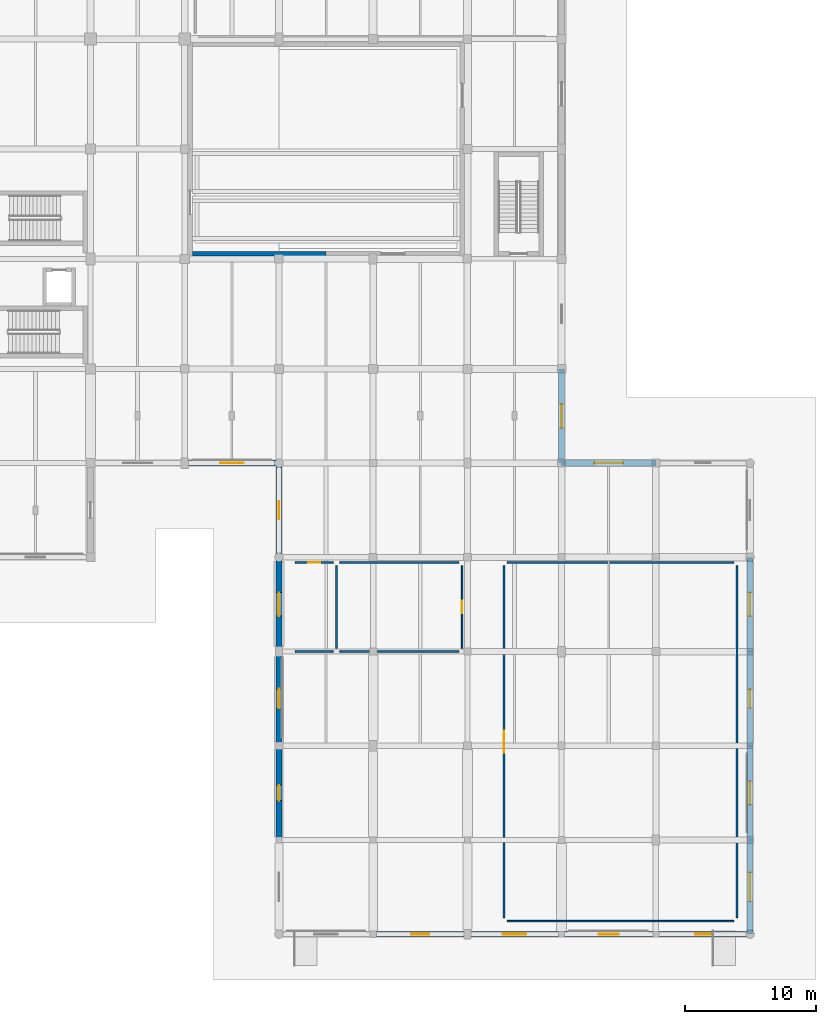
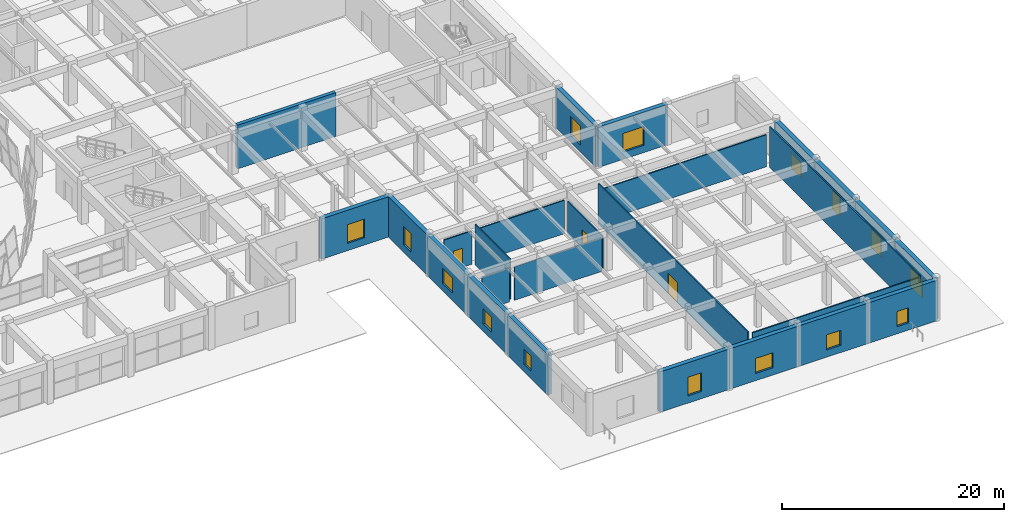
# One storey, part 52 of 72: 26 walls, 15 windows, 3 doors, 18 openings.
"""IFC4 building model written with IfcOpenShell, lengths in metres."""

from ifc_helpers import new_model, si_unit, direction, frame, frame_2d, origin, place, context, subcontext, project, spatial, rectangle, extrude, material, layer, layer_set, type_object, element, fill, save


model = new_model("IFC4")

# Units and contexts
model_context = context("Model", 3, precision=1e-05, world=origin(), true_north=direction((0.0, 1.0)))
body_context = subcontext(model_context, "Body", "Model", "MODEL_VIEW")
ifc_project = project(units=[si_unit("LENGTHUNIT", "METRE"), si_unit("AREAUNIT", "SQUARE_METRE"), si_unit("VOLUMEUNIT", "CUBIC_METRE"), si_unit("PLANEANGLEUNIT", "RADIAN"), si_unit("MASSUNIT", "GRAM", prefix="KILO")], contexts=[model_context])

# Site, building, storey
site_placement = place(None, origin())
site = spatial("IfcSite", under=ifc_project, at=site_placement, CompositionType="ELEMENT")
building_placement = place(site_placement, origin())
building = spatial("IfcBuilding", under=site, at=building_placement, Name="Korsvaeld Concert Hall", CompositionType="ELEMENT")
storey_placement = place(building_placement, origin())
storey = spatial("IfcBuildingStorey", under=building, at=storey_placement, Name="L00", CompositionType="ELEMENT", Elevation=0.0)

# Wall, opening, window
ifc_material_1 = material(Name="Coastal dark grey granite plinth on Concrete C35/45", Category="masonry")
ifc_layer_1 = layer(ifc_material_1, 0.43994140625)
ifc_layer_set_1 = layer_set([ifc_layer_1], Name="Coastal dark grey granite plinth on Concrete C35/45")
wall_type_1 = type_object("IfcWallType", Name="WL-EXT-GRAN-440", PredefinedType="STANDARD", material=ifc_layer_set_1)
wall_1_placement = place(storey_placement, frame((153.60009765625, 43.199951171875, 0.0), z_axis=(0.0, 0.0, 1.0), x_axis=(0.0, -1.0, 0.0)))
wall_1 = element("IfcWall", 1, at=wall_1_placement, inside=storey, type_object=wall_type_1, Name="Exterior sandstone wall L00-096", PredefinedType="STANDARD", context=body_context, shape_type="SweptSolid", body=[
    extrude(rectangle(XDim=7.199951171875, YDim=0.43994140625, at=frame_2d((3.60009765625, 0.0))), origin(), (0.0, 0.0, 1.0), 4.43994140625),
])
opening_1_placement = place(wall_1_placement, frame((2.699951171875, 0.0, 0.800048828125)))
opening_1 = element("IfcOpeningElement", 2, at=opening_1_placement, cuts=wall_1, Name="Opening WN-12", PredefinedType="OPENING", context=body_context, shape_type="SweptSolid", body=[
    extrude(rectangle(XDim=1.800048828125, YDim=2.050048828125, at=frame_2d((0.89990234375, 1.02490234375))), frame((0.0, 0.22998046875, 0.0), z_axis=(0.0, -1.0, 0.0), x_axis=(1.0, 0.0, 0.0)), (0.0, 0.0, 1.0), 0.4599609375),
])
ifc_material_2 = material(Name="Anodised bronze frame with acoustic triple glazing", Category="glass")
window_type_1 = type_object("IfcWindowType", Name="WIN-AC-180x205", PartitioningType="SINGLE_PANEL", PredefinedType="WINDOW", material=ifc_material_2)
window_1_placement = place(opening_1_placement, origin())
window_1 = element("IfcWindow", 3, at=window_1_placement, inside=storey, type_object=window_type_1, Name="Acoustic triple-glazed window L00-007", OverallHeight=2.050048828125, OverallWidth=1.800048828125, PartitioningType="SINGLE_PANEL", PredefinedType="WINDOW", context=body_context, shape_type="SweptSolid", body=[
    extrude(rectangle(XDim=1.800048828125, YDim=2.050048828125, at=frame_2d((0.89990234375, 1.02490234375))), frame((0.0, 0.030029296875, 0.0), z_axis=(0.0, -1.0, 0.0), x_axis=(1.0, 0.0, 0.0)), (0.0, 0.0, 1.0), 0.06005859375),
])
fill(opening_1, window_1)

wall_2_placement = place(storey_placement, frame((153.60009765625, 36.0, 0.0), z_axis=(0.0, 0.0, 1.0), x_axis=(1.0, 0.0, 0.0)))
wall_2 = element("IfcWall", 4, at=wall_2_placement, inside=storey, type_object=wall_type_1, Name="Exterior sandstone wall L00-097", PredefinedType="STANDARD", context=body_context, shape_type="SweptSolid", body=[
    extrude(rectangle(XDim=7.199951171875, YDim=0.43994140625, at=frame_2d((3.60009765625, 0.0))), origin(), (0.0, 0.0, 1.0), 4.43994140625),
])
opening_2_placement = place(wall_2_placement, frame((2.5, 0.0, 0.800048828125)))
opening_2 = element("IfcOpeningElement", 5, at=opening_2_placement, cuts=wall_2, Name="Opening WN-13", PredefinedType="OPENING", context=body_context, shape_type="SweptSolid", body=[
    extrude(rectangle(XDim=2.199951171875, YDim=2.050048828125, at=frame_2d((1.10009765625, 1.02490234375))), frame((0.0, 0.22998046875, 0.0), z_axis=(0.0, -1.0, 0.0), x_axis=(1.0, 0.0, 0.0)), (0.0, 0.0, 1.0), 0.4599609375),
])
window_type_2 = type_object("IfcWindowType", Name="WIN-AC-220x205", PartitioningType="SINGLE_PANEL", PredefinedType="WINDOW", material=ifc_material_2)
window_2_placement = place(opening_2_placement, origin())
window_2 = element("IfcWindow", 6, at=window_2_placement, inside=storey, type_object=window_type_2, Name="Acoustic triple-glazed window L00-008", OverallHeight=2.050048828125, OverallWidth=2.199951171875, PartitioningType="SINGLE_PANEL", PredefinedType="WINDOW", context=body_context, shape_type="SweptSolid", body=[
    extrude(rectangle(XDim=2.199951171875, YDim=2.050048828125, at=frame_2d((1.10009765625, 1.02490234375))), frame((0.0, 0.030029296875, 0.0), z_axis=(0.0, -1.0, 0.0), x_axis=(1.0, 0.0, 0.0)), (0.0, 0.0, 1.0), 0.06005859375),
])
fill(opening_2, window_2)

wall_3_placement = place(storey_placement, frame((168.0, 28.800048828125, 0.0), z_axis=(0.0, 0.0, 1.0), x_axis=(0.0, -1.0, 0.0)))
wall_3 = element("IfcWall", 7, at=wall_3_placement, inside=storey, type_object=wall_type_1, Name="Exterior sandstone wall L00-100", PredefinedType="STANDARD", context=body_context, shape_type="SweptSolid", body=[
    extrude(rectangle(XDim=7.199951171875, YDim=0.43994140625, at=frame_2d((3.60009765625, 0.0))), origin(), (0.0, 0.0, 1.0), 4.43994140625),
])
opening_3_placement = place(wall_3_placement, frame((2.699951171875, 0.0, 0.800048828125)))
opening_3 = element("IfcOpeningElement", 8, at=opening_3_placement, cuts=wall_3, Name="Opening WN-03", PredefinedType="OPENING", context=body_context, shape_type="SweptSolid", body=[
    extrude(rectangle(XDim=1.800048828125, YDim=1.64990234375, at=frame_2d((0.89990234375, 0.824951171875))), frame((0.0, 0.22998046875, 0.0), z_axis=(0.0, -1.0, 0.0), x_axis=(1.0, 0.0, 0.0)), (0.0, 0.0, 1.0), 0.4599609375),
])
window_type_3 = type_object("IfcWindowType", Name="WIN-AC-180x165", PartitioningType="SINGLE_PANEL", PredefinedType="WINDOW", material=ifc_material_2)
window_3_placement = place(opening_3_placement, origin())
window_3 = element("IfcWindow", 9, at=window_3_placement, inside=storey, type_object=window_type_3, Name="Acoustic triple-glazed window L00-011", OverallHeight=1.64990234375, OverallWidth=1.800048828125, PartitioningType="SINGLE_PANEL", PredefinedType="WINDOW", context=body_context, shape_type="SweptSolid", body=[
    extrude(rectangle(XDim=1.800048828125, YDim=1.64990234375, at=frame_2d((0.89990234375, 0.824951171875))), frame((0.0, 0.030029296875, 0.0), z_axis=(0.0, -1.0, 0.0), x_axis=(1.0, 0.0, 0.0)), (0.0, 0.0, 1.0), 0.06005859375),
])
fill(opening_3, window_3)

wall_4_placement = place(storey_placement, frame((168.0, 21.60009765625, 0.0), z_axis=(0.0, 0.0, 1.0), x_axis=(0.0, -1.0, 0.0)))
wall_4 = element("IfcWall", 10, at=wall_4_placement, inside=storey, type_object=wall_type_1, Name="Exterior sandstone wall L00-101", PredefinedType="STANDARD", context=body_context, shape_type="SweptSolid", body=[
    extrude(rectangle(XDim=7.2001953125, YDim=0.43994140625, at=frame_2d((3.60009765625, 0.0))), origin(), (0.0, 0.0, 1.0), 4.43994140625),
])
opening_4_placement = place(wall_4_placement, frame((2.89990234375, 0.0, 0.800048828125)))
opening_4 = element("IfcOpeningElement", 11, at=opening_4_placement, cuts=wall_4, Name="Opening WN-11", PredefinedType="OPENING", context=body_context, shape_type="SweptSolid", body=[
    extrude(rectangle(XDim=1.39990234375, YDim=2.050048828125, at=frame_2d((0.699951171875, 1.02490234375))), frame((0.0, 0.22998046875, 0.0), z_axis=(0.0, -1.0, 0.0), x_axis=(1.0, 0.0, 0.0)), (0.0, 0.0, 1.0), 0.4599609375),
])
window_type_4 = type_object("IfcWindowType", Name="WIN-AC-140x205", PartitioningType="SINGLE_PANEL", PredefinedType="WINDOW", material=ifc_material_2)
window_4_placement = place(opening_4_placement, origin())
window_4 = element("IfcWindow", 12, at=window_4_placement, inside=storey, type_object=window_type_4, Name="Acoustic triple-glazed window L00-012", OverallHeight=2.050048828125, OverallWidth=1.39990234375, PartitioningType="SINGLE_PANEL", PredefinedType="WINDOW", context=body_context, shape_type="SweptSolid", body=[
    extrude(rectangle(XDim=1.39990234375, YDim=2.050048828125, at=frame_2d((0.699951171875, 1.02490234375))), frame((0.0, 0.030029296875, 0.0), z_axis=(0.0, -1.0, 0.0), x_axis=(1.0, 0.0, 0.0)), (0.0, 0.0, 1.0), 0.06005859375),
])
fill(opening_4, window_4)

wall_5_placement = place(storey_placement, frame((168.0, 14.39990234375, 0.0), z_axis=(0.0, 0.0, 1.0), x_axis=(0.0, -1.0, 0.0)))
wall_5 = element("IfcWall", 13, at=wall_5_placement, inside=storey, type_object=wall_type_1, Name="Exterior sandstone wall L00-102", PredefinedType="STANDARD", context=body_context, shape_type="SweptSolid", body=[
    extrude(rectangle(XDim=7.199951171875, YDim=0.43994140625, at=frame_2d((3.60009765625, 0.0))), origin(), (0.0, 0.0, 1.0), 4.43994140625),
])
opening_5_placement = place(wall_5_placement, frame((2.699951171875, 0.0, 0.800048828125)))
opening_5 = element("IfcOpeningElement", 14, at=opening_5_placement, cuts=wall_5, Name="Opening WN-12", PredefinedType="OPENING", context=body_context, shape_type="SweptSolid", body=[
    extrude(rectangle(XDim=1.800048828125, YDim=2.050048828125, at=frame_2d((0.89990234375, 1.02490234375))), frame((0.0, 0.22998046875, 0.0), z_axis=(0.0, -1.0, 0.0), x_axis=(1.0, 0.0, 0.0)), (0.0, 0.0, 1.0), 0.4599609375),
])
window_5_placement = place(opening_5_placement, origin())
window_5 = element("IfcWindow", 15, at=window_5_placement, inside=storey, type_object=window_type_1, Name="Acoustic triple-glazed window L00-013", OverallHeight=2.050048828125, OverallWidth=1.800048828125, PartitioningType="SINGLE_PANEL", PredefinedType="WINDOW", context=body_context, shape_type="SweptSolid", body=[
    extrude(rectangle(XDim=1.800048828125, YDim=2.050048828125, at=frame_2d((0.89990234375, 1.02490234375))), frame((0.0, 0.030029296875, 0.0), z_axis=(0.0, -1.0, 0.0), x_axis=(1.0, 0.0, 0.0)), (0.0, 0.0, 1.0), 0.06005859375),
])
fill(opening_5, window_5)

wall_6_placement = place(storey_placement, frame((168.0, 7.199951171875, 0.0), z_axis=(0.0, 0.0, 1.0), x_axis=(0.0, -1.0, 0.0)))
wall_6 = element("IfcWall", 16, at=wall_6_placement, inside=storey, type_object=wall_type_1, Name="Exterior sandstone wall L00-103", PredefinedType="STANDARD", context=body_context, shape_type="SweptSolid", body=[
    extrude(rectangle(XDim=7.199951171875, YDim=0.43994140625, at=frame_2d((3.60009765625, 0.0))), origin(), (0.0, 0.0, 1.0), 4.43994140625),
])
opening_6_placement = place(wall_6_placement, frame((2.5, 0.0, 0.800048828125)))
opening_6 = element("IfcOpeningElement", 17, at=opening_6_placement, cuts=wall_6, Name="Opening WN-13", PredefinedType="OPENING", context=body_context, shape_type="SweptSolid", body=[
    extrude(rectangle(XDim=2.199951171875, YDim=2.050048828125, at=frame_2d((1.10009765625, 1.02490234375))), frame((0.0, 0.22998046875, 0.0), z_axis=(0.0, -1.0, 0.0), x_axis=(1.0, 0.0, 0.0)), (0.0, 0.0, 1.0), 0.4599609375),
])
window_6_placement = place(opening_6_placement, origin())
window_6 = element("IfcWindow", 18, at=window_6_placement, inside=storey, type_object=window_type_2, Name="Acoustic triple-glazed window L00-014", OverallHeight=2.050048828125, OverallWidth=2.199951171875, PartitioningType="SINGLE_PANEL", PredefinedType="WINDOW", context=body_context, shape_type="SweptSolid", body=[
    extrude(rectangle(XDim=2.199951171875, YDim=2.050048828125, at=frame_2d((1.10009765625, 1.02490234375))), frame((0.0, 0.030029296875, 0.0), z_axis=(0.0, -1.0, 0.0), x_axis=(1.0, 0.0, 0.0)), (0.0, 0.0, 1.0), 0.06005859375),
])
fill(opening_6, window_6)

wall_7_placement = place(storey_placement, frame((168.0, 0.0, 0.0), z_axis=(0.0, 0.0, 1.0), x_axis=(-1.0, 0.0, 0.0)))
wall_7 = element("IfcWall", 19, at=wall_7_placement, inside=storey, type_object=wall_type_1, Name="Exterior sandstone wall L00-104", PredefinedType="STANDARD", context=body_context, shape_type="SweptSolid", body=[
    extrude(rectangle(XDim=7.199951171875, YDim=0.43994140625, at=frame_2d((3.60009765625, 0.0))), origin(), (0.0, 0.0, 1.0), 4.43994140625),
])
opening_7_placement = place(wall_7_placement, frame((3.0, 0.0, 0.800048828125)))
opening_7 = element("IfcOpeningElement", 20, at=opening_7_placement, cuts=wall_7, Name="Opening WN-01", PredefinedType="OPENING", context=body_context, shape_type="SweptSolid", body=[
    extrude(rectangle(XDim=1.199951171875, YDim=1.64990234375, at=frame_2d((0.60009765625, 0.824951171875))), frame((0.0, 0.22998046875, 0.0), z_axis=(0.0, -1.0, 0.0), x_axis=(1.0, 0.0, 0.0)), (0.0, 0.0, 1.0), 0.4599609375),
])
window_type_5 = type_object("IfcWindowType", Name="WIN-AC-120x165", PartitioningType="SINGLE_PANEL", PredefinedType="WINDOW", material=ifc_material_2)
window_7_placement = place(opening_7_placement, origin())
window_7 = element("IfcWindow", 21, at=window_7_placement, inside=storey, type_object=window_type_5, Name="Acoustic triple-glazed window L00-015", OverallHeight=1.64990234375, OverallWidth=1.199951171875, PartitioningType="SINGLE_PANEL", PredefinedType="WINDOW", context=body_context, shape_type="SweptSolid", body=[
    extrude(rectangle(XDim=1.199951171875, YDim=1.64990234375, at=frame_2d((0.60009765625, 0.824951171875))), frame((0.0, 0.030029296875, 0.0), z_axis=(0.0, -1.0, 0.0), x_axis=(1.0, 0.0, 0.0)), (0.0, 0.0, 1.0), 0.06005859375),
])
fill(opening_7, window_7)

wall_8_placement = place(storey_placement, frame((160.800048828125, 0.0, 0.0), z_axis=(0.0, 0.0, 1.0), x_axis=(-1.0, 0.0, 0.0)))
wall_8 = element("IfcWall", 22, at=wall_8_placement, inside=storey, type_object=wall_type_1, Name="Exterior sandstone wall L00-105", PredefinedType="STANDARD", context=body_context, shape_type="SweptSolid", body=[
    extrude(rectangle(XDim=7.199951171875, YDim=0.43994140625, at=frame_2d((3.60009765625, 0.0))), origin(), (0.0, 0.0, 1.0), 4.43994140625),
])
opening_8_placement = place(wall_8_placement, frame((2.85009765625, 0.0, 0.800048828125)))
opening_8 = element("IfcOpeningElement", 23, at=opening_8_placement, cuts=wall_8, Name="Opening WN-02", PredefinedType="OPENING", context=body_context, shape_type="SweptSolid", body=[
    extrude(rectangle(XDim=1.5, YDim=1.64990234375, at=frame_2d((0.75, 0.824951171875))), frame((0.0, 0.22998046875, 0.0), z_axis=(0.0, -1.0, 0.0), x_axis=(1.0, 0.0, 0.0)), (0.0, 0.0, 1.0), 0.4599609375),
])
window_type_6 = type_object("IfcWindowType", Name="WIN-AC-150x165", PartitioningType="SINGLE_PANEL", PredefinedType="WINDOW", material=ifc_material_2)
window_8_placement = place(opening_8_placement, origin())
window_8 = element("IfcWindow", 24, at=window_8_placement, inside=storey, type_object=window_type_6, Name="Acoustic triple-glazed window L00-016", OverallHeight=1.64990234375, OverallWidth=1.5, PartitioningType="SINGLE_PANEL", PredefinedType="WINDOW", context=body_context, shape_type="SweptSolid", body=[
    extrude(rectangle(XDim=1.5, YDim=1.64990234375, at=frame_2d((0.75, 0.824951171875))), frame((0.0, 0.030029296875, 0.0), z_axis=(0.0, -1.0, 0.0), x_axis=(1.0, 0.0, 0.0)), (0.0, 0.0, 1.0), 0.06005859375),
])
fill(opening_8, window_8)

wall_9_placement = place(storey_placement, frame((153.60009765625, 0.0, 0.0), z_axis=(0.0, 0.0, 1.0), x_axis=(-1.0, 0.0, 0.0)))
wall_9 = element("IfcWall", 25, at=wall_9_placement, inside=storey, type_object=wall_type_1, Name="Exterior sandstone wall L00-106", PredefinedType="STANDARD", context=body_context, shape_type="SweptSolid", body=[
    extrude(rectangle(XDim=7.2001953125, YDim=0.43994140625, at=frame_2d((3.60009765625, 0.0))), origin(), (0.0, 0.0, 1.0), 4.43994140625),
])
opening_9_placement = place(wall_9_placement, frame((2.699951171875, 0.0, 0.800048828125)))
opening_9 = element("IfcOpeningElement", 26, at=opening_9_placement, cuts=wall_9, Name="Opening WN-03", PredefinedType="OPENING", context=body_context, shape_type="SweptSolid", body=[
    extrude(rectangle(XDim=1.800048828125, YDim=1.64990234375, at=frame_2d((0.89990234375, 0.824951171875))), frame((0.0, 0.22998046875, 0.0), z_axis=(0.0, -1.0, 0.0), x_axis=(1.0, 0.0, 0.0)), (0.0, 0.0, 1.0), 0.4599609375),
])
window_9_placement = place(opening_9_placement, origin())
window_9 = element("IfcWindow", 27, at=window_9_placement, inside=storey, type_object=window_type_3, Name="Acoustic triple-glazed window L00-017", OverallHeight=1.64990234375, OverallWidth=1.800048828125, PartitioningType="SINGLE_PANEL", PredefinedType="WINDOW", context=body_context, shape_type="SweptSolid", body=[
    extrude(rectangle(XDim=1.800048828125, YDim=1.64990234375, at=frame_2d((0.89990234375, 0.824951171875))), frame((0.0, 0.030029296875, 0.0), z_axis=(0.0, -1.0, 0.0), x_axis=(1.0, 0.0, 0.0)), (0.0, 0.0, 1.0), 0.06005859375),
])
fill(opening_9, window_9)

wall_10_placement = place(storey_placement, frame((146.39990234375, 0.0, 0.0), z_axis=(0.0, 0.0, 1.0), x_axis=(-1.0, 0.0, 0.0)))
wall_10 = element("IfcWall", 28, at=wall_10_placement, inside=storey, type_object=wall_type_1, Name="Exterior sandstone wall L00-107", PredefinedType="STANDARD", context=body_context, shape_type="SweptSolid", body=[
    extrude(rectangle(XDim=7.199951171875, YDim=0.43994140625, at=frame_2d((3.60009765625, 0.0))), origin(), (0.0, 0.0, 1.0), 4.43994140625),
])
opening_10_placement = place(wall_10_placement, frame((2.89990234375, 0.0, 0.800048828125)))
opening_10 = element("IfcOpeningElement", 29, at=opening_10_placement, cuts=wall_10, Name="Opening WN-11", PredefinedType="OPENING", context=body_context, shape_type="SweptSolid", body=[
    extrude(rectangle(XDim=1.39990234375, YDim=2.050048828125, at=frame_2d((0.699951171875, 1.02490234375))), frame((0.0, 0.22998046875, 0.0), z_axis=(0.0, -1.0, 0.0), x_axis=(1.0, 0.0, 0.0)), (0.0, 0.0, 1.0), 0.4599609375),
])
window_10_placement = place(opening_10_placement, origin())
window_10 = element("IfcWindow", 30, at=window_10_placement, inside=storey, type_object=window_type_4, Name="Acoustic triple-glazed window L00-018", OverallHeight=2.050048828125, OverallWidth=1.39990234375, PartitioningType="SINGLE_PANEL", PredefinedType="WINDOW", context=body_context, shape_type="SweptSolid", body=[
    extrude(rectangle(XDim=1.39990234375, YDim=2.050048828125, at=frame_2d((0.699951171875, 1.02490234375))), frame((0.0, 0.030029296875, 0.0), z_axis=(0.0, -1.0, 0.0), x_axis=(1.0, 0.0, 0.0)), (0.0, 0.0, 1.0), 0.06005859375),
])
fill(opening_10, window_10)

wall_11_placement = place(storey_placement, frame((132.0, 7.199951171875, 0.0), z_axis=(0.0, 0.0, 1.0), x_axis=(0.0, 1.0, 0.0)))
wall_11 = element("IfcWall", 31, at=wall_11_placement, inside=storey, type_object=wall_type_1, Name="Exterior sandstone wall L00-110", PredefinedType="STANDARD", context=body_context, shape_type="SweptSolid", body=[
    extrude(rectangle(XDim=7.199951171875, YDim=0.43994140625, at=frame_2d((3.60009765625, 0.0))), origin(), (0.0, 0.0, 1.0), 4.43994140625),
])
opening_11_placement = place(wall_11_placement, frame((3.0, 0.0, 0.800048828125)))
opening_11 = element("IfcOpeningElement", 32, at=opening_11_placement, cuts=wall_11, Name="Opening WN-01", PredefinedType="OPENING", context=body_context, shape_type="SweptSolid", body=[
    extrude(rectangle(XDim=1.199951171875, YDim=1.64990234375, at=frame_2d((0.60009765625, 0.824951171875))), frame((0.0, 0.22998046875, 0.0), z_axis=(0.0, -1.0, 0.0), x_axis=(1.0, 0.0, 0.0)), (0.0, 0.0, 1.0), 0.4599609375),
])
window_11_placement = place(opening_11_placement, origin())
window_11 = element("IfcWindow", 33, at=window_11_placement, inside=storey, type_object=window_type_5, Name="Acoustic triple-glazed window L00-021", OverallHeight=1.64990234375, OverallWidth=1.199951171875, PartitioningType="SINGLE_PANEL", PredefinedType="WINDOW", context=body_context, shape_type="SweptSolid", body=[
    extrude(rectangle(XDim=1.199951171875, YDim=1.64990234375, at=frame_2d((0.60009765625, 0.824951171875))), frame((0.0, 0.030029296875, 0.0), z_axis=(0.0, -1.0, 0.0), x_axis=(1.0, 0.0, 0.0)), (0.0, 0.0, 1.0), 0.06005859375),
])
fill(opening_11, window_11)

wall_12_placement = place(storey_placement, frame((132.0, 14.39990234375, 0.0), z_axis=(0.0, 0.0, 1.0), x_axis=(0.0, 1.0, 0.0)))
wall_12 = element("IfcWall", 34, at=wall_12_placement, inside=storey, type_object=wall_type_1, Name="Exterior sandstone wall L00-111", PredefinedType="STANDARD", context=body_context, shape_type="SweptSolid", body=[
    extrude(rectangle(XDim=7.2001953125, YDim=0.43994140625, at=frame_2d((3.60009765625, 0.0))), origin(), (0.0, 0.0, 1.0), 4.43994140625),
])
opening_12_placement = place(wall_12_placement, frame((2.85009765625, 0.0, 0.800048828125)))
opening_12 = element("IfcOpeningElement", 35, at=opening_12_placement, cuts=wall_12, Name="Opening WN-02", PredefinedType="OPENING", context=body_context, shape_type="SweptSolid", body=[
    extrude(rectangle(XDim=1.5, YDim=1.64990234375, at=frame_2d((0.75, 0.824951171875))), frame((0.0, 0.22998046875, 0.0), z_axis=(0.0, -1.0, 0.0), x_axis=(1.0, 0.0, 0.0)), (0.0, 0.0, 1.0), 0.4599609375),
])
window_12_placement = place(opening_12_placement, origin())
window_12 = element("IfcWindow", 36, at=window_12_placement, inside=storey, type_object=window_type_6, Name="Acoustic triple-glazed window L00-022", OverallHeight=1.64990234375, OverallWidth=1.5, PartitioningType="SINGLE_PANEL", PredefinedType="WINDOW", context=body_context, shape_type="SweptSolid", body=[
    extrude(rectangle(XDim=1.5, YDim=1.64990234375, at=frame_2d((0.75, 0.824951171875))), frame((0.0, 0.030029296875, 0.0), z_axis=(0.0, -1.0, 0.0), x_axis=(1.0, 0.0, 0.0)), (0.0, 0.0, 1.0), 0.06005859375),
])
fill(opening_12, window_12)

wall_13_placement = place(storey_placement, frame((132.0, 21.60009765625, 0.0), z_axis=(0.0, 0.0, 1.0), x_axis=(0.0, 1.0, 0.0)))
wall_13 = element("IfcWall", 37, at=wall_13_placement, inside=storey, type_object=wall_type_1, Name="Exterior sandstone wall L00-112", PredefinedType="STANDARD", context=body_context, shape_type="SweptSolid", body=[
    extrude(rectangle(XDim=7.199951171875, YDim=0.43994140625, at=frame_2d((3.60009765625, 0.0))), origin(), (0.0, 0.0, 1.0), 4.43994140625),
])
opening_13_placement = place(wall_13_placement, frame((2.699951171875, 0.0, 0.800048828125)))
opening_13 = element("IfcOpeningElement", 38, at=opening_13_placement, cuts=wall_13, Name="Opening WN-03", PredefinedType="OPENING", context=body_context, shape_type="SweptSolid", body=[
    extrude(rectangle(XDim=1.800048828125, YDim=1.64990234375, at=frame_2d((0.89990234375, 0.824951171875))), frame((0.0, 0.22998046875, 0.0), z_axis=(0.0, -1.0, 0.0), x_axis=(1.0, 0.0, 0.0)), (0.0, 0.0, 1.0), 0.4599609375),
])
window_13_placement = place(opening_13_placement, origin())
window_13 = element("IfcWindow", 39, at=window_13_placement, inside=storey, type_object=window_type_3, Name="Acoustic triple-glazed window L00-023", OverallHeight=1.64990234375, OverallWidth=1.800048828125, PartitioningType="SINGLE_PANEL", PredefinedType="WINDOW", context=body_context, shape_type="SweptSolid", body=[
    extrude(rectangle(XDim=1.800048828125, YDim=1.64990234375, at=frame_2d((0.89990234375, 0.824951171875))), frame((0.0, 0.030029296875, 0.0), z_axis=(0.0, -1.0, 0.0), x_axis=(1.0, 0.0, 0.0)), (0.0, 0.0, 1.0), 0.06005859375),
])
fill(opening_13, window_13)

wall_14_placement = place(storey_placement, frame((132.0, 28.800048828125, 0.0), z_axis=(0.0, 0.0, 1.0), x_axis=(0.0, 1.0, 0.0)))
wall_14 = element("IfcWall", 40, at=wall_14_placement, inside=storey, type_object=wall_type_1, Name="Exterior sandstone wall L00-113", PredefinedType="STANDARD", context=body_context, shape_type="SweptSolid", body=[
    extrude(rectangle(XDim=7.199951171875, YDim=0.43994140625, at=frame_2d((3.60009765625, 0.0))), origin(), (0.0, 0.0, 1.0), 4.43994140625),
])
opening_14_placement = place(wall_14_placement, frame((2.89990234375, 0.0, 0.800048828125)))
opening_14 = element("IfcOpeningElement", 41, at=opening_14_placement, cuts=wall_14, Name="Opening WN-11", PredefinedType="OPENING", context=body_context, shape_type="SweptSolid", body=[
    extrude(rectangle(XDim=1.39990234375, YDim=2.050048828125, at=frame_2d((0.699951171875, 1.02490234375))), frame((0.0, 0.22998046875, 0.0), z_axis=(0.0, -1.0, 0.0), x_axis=(1.0, 0.0, 0.0)), (0.0, 0.0, 1.0), 0.4599609375),
])
window_14_placement = place(opening_14_placement, origin())
window_14 = element("IfcWindow", 42, at=window_14_placement, inside=storey, type_object=window_type_4, Name="Acoustic triple-glazed window L00-024", OverallHeight=2.050048828125, OverallWidth=1.39990234375, PartitioningType="SINGLE_PANEL", PredefinedType="WINDOW", context=body_context, shape_type="SweptSolid", body=[
    extrude(rectangle(XDim=1.39990234375, YDim=2.050048828125, at=frame_2d((0.699951171875, 1.02490234375))), frame((0.0, 0.030029296875, 0.0), z_axis=(0.0, -1.0, 0.0), x_axis=(1.0, 0.0, 0.0)), (0.0, 0.0, 1.0), 0.06005859375),
])
fill(opening_14, window_14)

wall_15_placement = place(storey_placement, frame((132.0, 36.0, 0.0), z_axis=(0.0, 0.0, 1.0), x_axis=(-1.0, 0.0, 0.0)))
wall_15 = element("IfcWall", 43, at=wall_15_placement, inside=storey, type_object=wall_type_1, Name="Exterior sandstone wall L00-114", PredefinedType="STANDARD", context=body_context, shape_type="SweptSolid", body=[
    extrude(rectangle(XDim=7.199951171875, YDim=0.43994140625, at=frame_2d((3.60009765625, 0.0))), origin(), (0.0, 0.0, 1.0), 4.43994140625),
])
opening_15_placement = place(wall_15_placement, frame((2.699951171875, 0.0, 0.800048828125)))
opening_15 = element("IfcOpeningElement", 44, at=opening_15_placement, cuts=wall_15, Name="Opening WN-12", PredefinedType="OPENING", context=body_context, shape_type="SweptSolid", body=[
    extrude(rectangle(XDim=1.800048828125, YDim=2.050048828125, at=frame_2d((0.89990234375, 1.02490234375))), frame((0.0, 0.22998046875, 0.0), z_axis=(0.0, -1.0, 0.0), x_axis=(1.0, 0.0, 0.0)), (0.0, 0.0, 1.0), 0.4599609375),
])
window_15_placement = place(opening_15_placement, origin())
window_15 = element("IfcWindow", 45, at=window_15_placement, inside=storey, type_object=window_type_1, Name="Acoustic triple-glazed window L00-025", OverallHeight=2.050048828125, OverallWidth=1.800048828125, PartitioningType="SINGLE_PANEL", PredefinedType="WINDOW", context=body_context, shape_type="SweptSolid", body=[
    extrude(rectangle(XDim=1.800048828125, YDim=2.050048828125, at=frame_2d((0.89990234375, 1.02490234375))), frame((0.0, 0.030029296875, 0.0), z_axis=(0.0, -1.0, 0.0), x_axis=(1.0, 0.0, 0.0)), (0.0, 0.0, 1.0), 0.06005859375),
])
fill(opening_15, window_15)

# Walls
ifc_material_3 = material(Name="Bornholm Nexo crimson sandstone on Concrete C40/50", Category="masonry")
ifc_layer_2 = layer(ifc_material_3, 0.360107421875)
ifc_layer_set_2 = layer_set([ifc_layer_2], Name="Bornholm Nexo crimson sandstone on Concrete C40/50")
wall_type_2 = type_object("IfcWallType", Name="WL-HALL-360", PredefinedType="SHEAR", material=ifc_layer_set_2)
wall_16_placement = place(storey_placement, frame((125.3798828125, 52.0, 0.0), z_axis=(0.0, 0.0, 1.0), x_axis=(1.0, 0.0, 0.0)))
element("IfcWall", 46, at=wall_16_placement, inside=storey, type_object=wall_type_2, Name="Acoustic hall box wall V2H L00 S.1", PredefinedType="SHEAR", context=body_context, shape_type="SweptSolid", body=[
    extrude(rectangle(XDim=10.22021484375, YDim=0.360107421875, at=frame_2d((5.110107421875, 0.0))), origin(), (0.0, 0.0, 1.0), 4.800048828125),
])
ifc_material_4 = material(Name="Insulated acoustic gypsum partition")
ifc_layer_3 = layer(ifc_material_4, 0.125)
ifc_layer_set_3 = layer_set([ifc_layer_3], Name="Insulated acoustic gypsum partition")
wall_type_3 = type_object("IfcWallType", Name="WL-PART-125", PredefinedType="PARTITIONING", material=ifc_layer_set_3)
wall_17_placement = place(storey_placement, frame((149.4599609375, 1.0, 0.0), z_axis=(0.0, 0.0, 1.0), x_axis=(1.0, 0.0, 0.0)))
element("IfcWall", 47, at=wall_17_placement, inside=storey, type_object=wall_type_3, Name="Interior partition L00-10 S", PredefinedType="PARTITIONING", context=body_context, shape_type="SweptSolid", body=[
    extrude(rectangle(XDim=17.280029296875, YDim=0.125, at=frame_2d((8.64013671875, 0.0))), origin(), (0.0, 0.0, 1.0), 4.43994140625),
])
wall_18_placement = place(storey_placement, frame((167.0, 1.260009765625, 0.0), z_axis=(0.0, 0.0, 1.0), x_axis=(0.0, 1.0, 0.0)))
element("IfcWall", 48, at=wall_18_placement, inside=storey, type_object=wall_type_3, Name="Interior partition L00-10 E", PredefinedType="PARTITIONING", context=body_context, shape_type="SweptSolid", body=[
    extrude(rectangle(XDim=26.8798828125, YDim=0.125, at=frame_2d((13.43994140625, 0.0))), origin(), (0.0, 0.0, 1.0), 4.43994140625),
])
wall_19_placement = place(storey_placement, frame((166.739990234375, 28.39990234375, 0.0), z_axis=(0.0, 0.0, 1.0), x_axis=(-1.0, 0.0, 0.0)))
element("IfcWall", 49, at=wall_19_placement, inside=storey, type_object=wall_type_3, Name="Interior partition L00-10 N", PredefinedType="PARTITIONING", context=body_context, shape_type="SweptSolid", body=[
    extrude(rectangle(XDim=17.280029296875, YDim=0.125, at=frame_2d((8.64013671875, 0.0))), origin(), (0.0, 0.0, 1.0), 3.514892578125),
])

# Wall, opening, door
wall_20_placement = place(storey_placement, frame((149.199951171875, 28.139892578125, 0.0), z_axis=(0.0, 0.0, 1.0), x_axis=(0.0, -1.0, 0.0)))
wall_20 = element("IfcWall", 50, at=wall_20_placement, inside=storey, type_object=wall_type_3, Name="Interior partition L00-10 W", PredefinedType="PARTITIONING", context=body_context, shape_type="SweptSolid", body=[
    extrude(rectangle(XDim=26.8798828125, YDim=0.125, at=frame_2d((13.43994140625, 0.0))), origin(), (0.0, 0.0, 1.0), 4.43994140625),
])
opening_16_placement = place(wall_20_placement, frame((12.590087890625, 0.0, 0.0)))
opening_16 = element("IfcOpeningElement", 51, at=opening_16_placement, cuts=wall_20, Name="Opening ID-06", PredefinedType="OPENING", context=body_context, shape_type="SweptSolid", body=[
    extrude(rectangle(XDim=1.699951171875, YDim=2.199951171875, at=frame_2d((0.85009765625, 1.10009765625))), frame((0.0, 0.072509765625, 0.0), z_axis=(0.0, -1.0, 0.0), x_axis=(1.0, 0.0, 0.0)), (0.0, 0.0, 1.0), 0.14501953125),
])
ifc_material_5 = material(Name="Glazed oak foyer double door")
door_type_1 = type_object("IfcDoorType", Name="DR-INT-DBL-170x220", OperationType="DOUBLE_DOOR_SINGLE_SWING", PredefinedType="DOOR", material=ifc_material_5)
door_1_placement = place(opening_16_placement, origin())
door_1 = element("IfcDoor", 52, at=door_1_placement, inside=storey, type_object=door_type_1, Name="Symphonic Music Shop & Vinyl Salon door L00-10", OperationType="DOUBLE_DOOR_SINGLE_SWING", OverallHeight=2.199951171875, OverallWidth=1.699951171875, PredefinedType="DOOR", context=body_context, shape_type="SweptSolid", body=[
    extrude(rectangle(XDim=1.699951171875, YDim=2.199951171875, at=frame_2d((0.85009765625, 1.10009765625))), frame((0.0, 0.02490234375, 0.0), z_axis=(0.0, -1.0, 0.0), x_axis=(1.0, 0.0, 0.0)), (0.0, 0.0, 1.0), 0.050048828125),
])
fill(opening_16, door_1)

# Wall
wall_21_placement = place(storey_placement, frame((136.659912109375, 21.60009765625, 0.0), z_axis=(0.0, 0.0, 1.0), x_axis=(1.0, 0.0, 0.0)))
element("IfcWall", 53, at=wall_21_placement, inside=storey, type_object=wall_type_3, Name="Interior partition L00-33 S", PredefinedType="PARTITIONING", context=body_context, shape_type="SweptSolid", body=[
    extrude(rectangle(XDim=9.080078125, YDim=0.125, at=frame_2d((4.5400390625, 0.0))), origin(), (0.0, 0.0, 1.0), 3.6650390625),
])

# Wall, opening, door
wall_22_placement = place(storey_placement, frame((146.0, 21.860107421875, 0.0), z_axis=(0.0, 0.0, 1.0), x_axis=(0.0, 1.0, 0.0)))
wall_22 = element("IfcWall", 54, at=wall_22_placement, inside=storey, type_object=wall_type_3, Name="Interior partition L00-33 E", PredefinedType="PARTITIONING", context=body_context, shape_type="SweptSolid", body=[
    extrude(rectangle(XDim=6.27978515625, YDim=0.125, at=frame_2d((3.139892578125, 0.0))), origin(), (0.0, 0.0, 1.0), 3.614990234375),
])
opening_17_placement = place(wall_22_placement, frame((2.669921875, 0.0, 0.0)))
opening_17 = element("IfcOpeningElement", 55, at=opening_17_placement, cuts=wall_22, Name="Opening ID-05", PredefinedType="OPENING", context=body_context, shape_type="SweptSolid", body=[
    extrude(rectangle(XDim=0.93994140625, YDim=2.10009765625, at=frame_2d((0.469970703125, 1.050048828125))), frame((0.0, 0.072509765625, 0.0), z_axis=(0.0, -1.0, 0.0), x_axis=(1.0, 0.0, 0.0)), (0.0, 0.0, 1.0), 0.14501953125),
])
ifc_material_6 = material(Name="Accessible washroom oak door")
door_type_2 = type_object("IfcDoorType", Name="DR-INT-WC-094x210", OperationType="NOTDEFINED", PredefinedType="DOOR", material=ifc_material_6)
door_2_placement = place(opening_17_placement, origin())
door_2 = element("IfcDoor", 56, at=door_2_placement, inside=storey, type_object=door_type_2, Name="Public Male & Female WC L00 East door L00-33", OperationType="SINGLE_SWING_LEFT", OverallHeight=2.10009765625, OverallWidth=0.93994140625, PredefinedType="DOOR", context=body_context, shape_type="SweptSolid", body=[
    extrude(rectangle(XDim=0.93994140625, YDim=2.10009765625, at=frame_2d((0.469970703125, 1.050048828125))), frame((0.0, 0.02490234375, 0.0), z_axis=(0.0, -1.0, 0.0), x_axis=(1.0, 0.0, 0.0)), (0.0, 0.0, 1.0), 0.050048828125),
])
fill(opening_17, door_2)

# Walls
wall_23_placement = place(storey_placement, frame((145.739990234375, 28.39990234375, 0.0), z_axis=(0.0, 0.0, 1.0), x_axis=(-1.0, 0.0, 0.0)))
element("IfcWall", 57, at=wall_23_placement, inside=storey, type_object=wall_type_3, Name="Interior partition L00-33 N", PredefinedType="PARTITIONING", context=body_context, shape_type="SweptSolid", body=[
    extrude(rectangle(XDim=9.080078125, YDim=0.125, at=frame_2d((4.5400390625, 0.0))), origin(), (0.0, 0.0, 1.0), 3.6650390625),
])
wall_24_placement = place(storey_placement, frame((136.39990234375, 28.139892578125, 0.0), z_axis=(0.0, 0.0, 1.0), x_axis=(0.0, -1.0, 0.0)))
element("IfcWall", 58, at=wall_24_placement, inside=storey, type_object=wall_type_3, Name="Interior partition L00-33 W", PredefinedType="PARTITIONING", context=body_context, shape_type="SweptSolid", body=[
    extrude(rectangle(XDim=6.27978515625, YDim=0.125, at=frame_2d((3.139892578125, 0.0))), origin(), (0.0, 0.0, 1.0), 4.43994140625),
])
wall_25_placement = place(storey_placement, frame((133.260009765625, 21.60009765625, 0.0), z_axis=(0.0, 0.0, 1.0), x_axis=(1.0, 0.0, 0.0)))
element("IfcWall", 59, at=wall_25_placement, inside=storey, type_object=wall_type_3, Name="Interior partition L00-34 S", PredefinedType="PARTITIONING", context=body_context, shape_type="SweptSolid", body=[
    extrude(rectangle(XDim=2.8798828125, YDim=0.125, at=frame_2d((1.43994140625, 0.0))), origin(), (0.0, 0.0, 1.0), 3.715087890625),
])

# Wall, opening, door
wall_26_placement = place(storey_placement, frame((136.139892578125, 28.39990234375, 0.0), z_axis=(0.0, 0.0, 1.0), x_axis=(-1.0, 0.0, 0.0)))
wall_26 = element("IfcWall", 60, at=wall_26_placement, inside=storey, type_object=wall_type_3, Name="Interior partition L00-34 N", PredefinedType="PARTITIONING", context=body_context, shape_type="SweptSolid", body=[
    extrude(rectangle(XDim=2.8798828125, YDim=0.125, at=frame_2d((1.43994140625, 0.0))), origin(), (0.0, 0.0, 1.0), 3.6650390625),
])
opening_18_placement = place(wall_26_placement, frame((0.969970703125, 0.0, 0.0)))
opening_18 = element("IfcOpeningElement", 61, at=opening_18_placement, cuts=wall_26, Name="Opening ID-05", PredefinedType="OPENING", context=body_context, shape_type="SweptSolid", body=[
    extrude(rectangle(XDim=0.93994140625, YDim=2.10009765625, at=frame_2d((0.469970703125, 1.050048828125))), frame((0.0, 0.072509765625, 0.0), z_axis=(0.0, -1.0, 0.0), x_axis=(1.0, 0.0, 0.0)), (0.0, 0.0, 1.0), 0.14501953125),
])
door_3_placement = place(opening_18_placement, origin())
door_3 = element("IfcDoor", 62, at=door_3_placement, inside=storey, type_object=door_type_2, Name="Accessible WC L00 East door L00-34", OperationType="SINGLE_SWING_RIGHT", OverallHeight=2.10009765625, OverallWidth=0.93994140625, PredefinedType="DOOR", context=body_context, shape_type="SweptSolid", body=[
    extrude(rectangle(XDim=0.93994140625, YDim=2.10009765625, at=frame_2d((0.469970703125, 1.050048828125))), frame((0.0, 0.02490234375, 0.0), z_axis=(0.0, -1.0, 0.0), x_axis=(1.0, 0.0, 0.0)), (0.0, 0.0, 1.0), 0.050048828125),
])
fill(opening_18, door_3)

save(model, "model.ifc")
